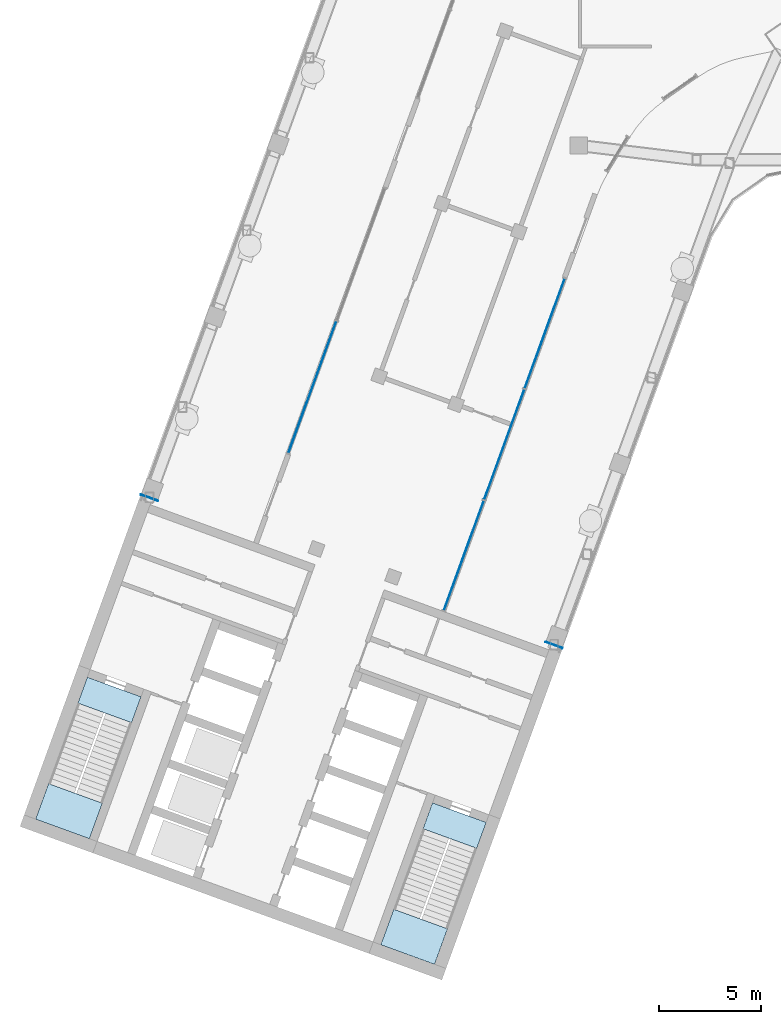
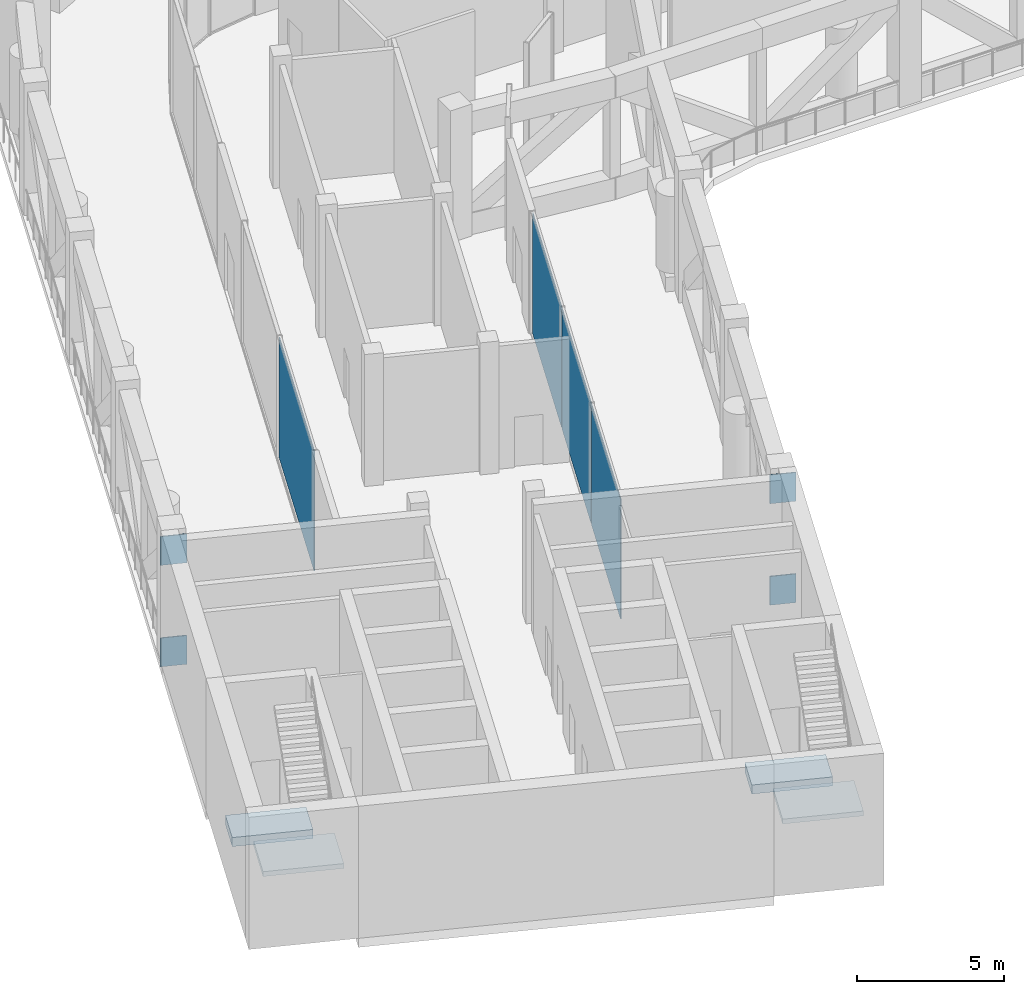
# One storey, part 7 of 19: 8 plates, 4 slabs, 4 elements without a shape of their own.
"""IFC4 building model written with IfcOpenShell, lengths in metres."""

import ifcopenshell
import ifcopenshell.guid

model = None  # the IFC model being written
_history = None  # IfcOwnerHistory: only IFC2X3 demands one
_inside = {}  # id of a spatial element -> (the spatial element, [elements in it])
_under = {}  # id of a project, library or spatial element -> (it, [spatial elements below it])
_declared = {}  # id of a project -> (the project, [libraries it declares])
_typed = {}  # id of a type object -> (the type object, [elements of that type])
_made_of = {}  # id of a material, layer set ... -> (it, [elements and type objects made of it])


def new_model(schema):
    """Start an empty IFC model of exactly this schema.

    Asked for "IFC4X3", IfcOpenShell would pick the latest addendum, in which some entities
    have other attributes; the version numbers below select the first issue.
    IFC2X3 requires an IfcOwnerHistory on every rooted entity: one is made here for all.
    """
    global model, _history
    if schema == "IFC4X3":
        model = ifcopenshell.file(schema_version=(4, 3, 0, 0))
    else:
        model = ifcopenshell.file(schema=schema)
    _inside.clear()
    _under.clear()
    _declared.clear()
    _typed.clear()
    _made_of.clear()
    _history = None
    if model.schema == "IFC2X3":
        org = make("IfcOrganization", Name="unknown")
        user = make(
            "IfcPersonAndOrganization",
            ThePerson=make("IfcPerson", FamilyName="unknown"),
            TheOrganization=org,
        )
        app = make(
            "IfcApplication",
            ApplicationDeveloper=org,
            Version="unknown",
            ApplicationFullName="unknown",
            ApplicationIdentifier="unknown",
        )
        _history = make(
            "IfcOwnerHistory",
            OwningUser=user,
            OwningApplication=app,
            ChangeAction="ADDED",
            CreationDate=0,
        )
    return model


def make(cls, **values):
    """One entity of the class cls with the attributes given. An attribute that is None is left unset."""
    return model.create_entity(
        cls, **{name: value for name, value in values.items() if value is not None}
    )


def rooted(cls, **values):
    """An entity with a GlobalId (a new one), such as an element, a storey or a relation."""
    return make(cls, GlobalId=ifcopenshell.guid.new(), OwnerHistory=_history, **values)


def si_unit(unit_type, name, prefix=None):
    """IfcSIUnit, for example si_unit("LENGTHUNIT", "METRE", prefix="MILLI")."""
    return make("IfcSIUnit", UnitType=unit_type, Prefix=prefix, Name=name)


def assignment(units):
    """IfcUnitAssignment: the units of a project."""
    return None if units is None else make("IfcUnitAssignment", Units=units)


def point(xyz):
    """IfcCartesianPoint."""
    return None if xyz is None else make("IfcCartesianPoint", Coordinates=xyz)


def direction(xyz):
    """IfcDirection."""
    return None if xyz is None else make("IfcDirection", DirectionRatios=xyz)


def frame(location, z_axis=None, x_axis=None):
    """IfcAxis2Placement3D, a coordinate frame: its origin and axes. An axis left out is left unset."""
    return make(
        "IfcAxis2Placement3D",
        Location=point(location),
        Axis=direction(z_axis),
        RefDirection=direction(x_axis),
    )


def frame_2d(location, x_axis=None):
    """IfcAxis2Placement2D, a coordinate frame in the plane: its origin and x axis."""
    return make(
        "IfcAxis2Placement2D", Location=point(location), RefDirection=direction(x_axis)
    )


def origin():
    """The frame at (0, 0, 0) with its axes left unset."""
    return frame((0.0, 0.0, 0.0))


def origin_2d():
    """The frame at (0, 0) in the plane with its x axis left unset."""
    return frame_2d((0.0, 0.0))


def place(relative_to, where):
    """IfcLocalPlacement: puts the frame where relative to a parent placement (None: the world)."""
    return make(
        "IfcLocalPlacement", PlacementRelTo=relative_to, RelativePlacement=where
    )


def context(
    kind, dimensions, precision=None, world=None, true_north=None, identifier=None
):
    """IfcGeometricRepresentationContext, for example the 3D "Model" context."""
    return make(
        "IfcGeometricRepresentationContext",
        ContextIdentifier=identifier,
        ContextType=kind,
        CoordinateSpaceDimension=dimensions,
        Precision=precision,
        WorldCoordinateSystem=world,
        TrueNorth=true_north,
    )


def subcontext(parent, identifier, kind, view, scale=None):
    """IfcGeometricRepresentationSubContext, for example "Body" below "Model"."""
    return make(
        "IfcGeometricRepresentationSubContext",
        ContextIdentifier=identifier,
        ContextType=kind,
        ParentContext=parent,
        TargetScale=scale,
        TargetView=view,
    )


def project(units=None, contexts=None):
    """IfcProject with its units and contexts."""
    return rooted(
        "IfcProject",
        Name="project",
        RepresentationContexts=contexts,
        UnitsInContext=assignment(units),
    )


def spatial(cls, under=None, at=None, **own):
    """A site, building, storey or space (cls), placed at a placement, below another one or the project."""
    s = rooted(cls, ObjectPlacement=at, **own)
    if under is not None:
        _under.setdefault(under.id(), (under, []))[1].append(s)
    return s


def polyline(points):
    """IfcPolyline through the points."""
    return make("IfcPolyline", Points=[point(p) for p in points])


def profile(cls, at=None, kind="AREA", **sizes):
    """A parametric profile (cls). Its sizes go by their IFC names, for example OverallWidth=200.0."""
    return make(cls, ProfileType=kind, Position=at, **sizes)


def rectangle(**sizes):
    """IfcRectangleProfileDef."""
    return profile("IfcRectangleProfileDef", **sizes)


def outline(outer, holes=None, kind="AREA"):
    """IfcArbitraryClosedProfileDef: a profile drawn as a closed curve; with holes, ...WithVoids."""
    if holes is None:
        return make("IfcArbitraryClosedProfileDef", ProfileType=kind, OuterCurve=outer)
    return make(
        "IfcArbitraryProfileDefWithVoids",
        ProfileType=kind,
        OuterCurve=outer,
        InnerCurves=holes,
    )


def extrude(swept, where, along, depth):
    """IfcExtrudedAreaSolid: the profile swept, set in the frame where, extruded along a direction by depth."""
    return make(
        "IfcExtrudedAreaSolid",
        SweptArea=swept,
        Position=where,
        ExtrudedDirection=direction(along),
        Depth=depth,
    )


def shape(context_of_items, identifier, shape_type, items):
    """IfcShapeRepresentation: the items that make up one representation, for example the "Body"."""
    return make(
        "IfcShapeRepresentation",
        ContextOfItems=context_of_items,
        RepresentationIdentifier=identifier,
        RepresentationType=shape_type,
        Items=items,
    )


def material(Name=None, Category=None):
    """IfcMaterial."""
    return make("IfcMaterial", Name=Name, Category=Category)


def layer(
    of_material, thickness, ventilated=None, Name=None, Category=None, Priority=None
):
    """IfcMaterialLayer: one layer of a wall or slab, of a material (None: an air gap)."""
    return make(
        "IfcMaterialLayer",
        Material=of_material,
        LayerThickness=thickness,
        IsVentilated=ventilated,
        Name=Name,
        Category=Category,
        Priority=Priority,
    )


def layer_set(layers, Name=None):
    """IfcMaterialLayerSet."""
    return make("IfcMaterialLayerSet", MaterialLayers=layers, LayerSetName=Name)


def made_of(thing, what):
    """Note that an element or type object is made of a material, layer set ...; save() writes the relation."""
    if what is not None:
        _made_of.setdefault(what.id(), (what, []))[1].append(thing)
    return thing


def type_object(cls, material=None, **own):
    """A type object (cls), such as IfcWallType, which elements share."""
    return made_of(rooted(cls, **own), material)


def element(
    cls,
    number,
    at=None,
    inside=None,
    cuts=None,
    type_object=None,
    material=None,
    context=None,
    identifier="Body",
    shape_type=None,
    held_by="IfcProductDefinitionShape",
    body=None,
    shapes=None,
    **own,
):
    """One element of the class cls, such as IfcWall. Its Tag is "e" and its number.

    at: its placement. inside: the storey or other place that contains it. cuts: it is an
    opening in that element (IfcRelVoidsElement). A single representation is given by context,
    identifier, shape_type and body (its items); several are given by shapes. held_by: the class
    of the entity that holds the representations. save() writes the other relations.
    """
    e = rooted(cls, Tag="e%d" % number, ObjectPlacement=at, **own)
    if body is not None:
        shapes = [shape(context, identifier, shape_type, body)]
    if shapes is not None:
        e.Representation = make(held_by, Representations=shapes)
    if inside is not None:
        _inside.setdefault(inside.id(), (inside, []))[1].append(e)
    if cuts is not None:
        rooted(
            "IfcRelVoidsElement", RelatingBuildingElement=cuts, RelatedOpeningElement=e
        )
    if type_object is not None:
        _typed.setdefault(type_object.id(), (type_object, []))[1].append(e)
    return made_of(e, material)


def aggregate(whole, parts):
    """IfcRelAggregates: a whole, such as a stair, and the parts it consists of."""
    return rooted("IfcRelAggregates", RelatingObject=whole, RelatedObjects=parts)


def save(model, path):
    """Write the relations noted so far, then the file.

    IfcRelAggregates (storeys below a building ...), IfcRelContainedInSpatialStructure (elements
    in a storey), IfcRelDefinesByType, IfcRelAssociatesMaterial and IfcRelDeclares: one each for
    every whole, place, type object, material and project.
    """
    for whole, parts in _under.values():
        aggregate(whole, parts)
    for where, things in _inside.values():
        rooted(
            "IfcRelContainedInSpatialStructure",
            RelatedElements=things,
            RelatingStructure=where,
        )
    for kind, things in _typed.values():
        rooted("IfcRelDefinesByType", RelatedObjects=things, RelatingType=kind)
    for what, things in _made_of.values():
        rooted("IfcRelAssociatesMaterial", RelatedObjects=things, RelatingMaterial=what)
    for by, libraries in _declared.values():
        rooted("IfcRelDeclares", RelatingContext=by, RelatedDefinitions=libraries)
    model.write(path)


model = new_model("IFC4")

# Units and contexts
model_context = context("Model", 3, precision=1e-05, world=origin(), true_north=direction((0.0, 1.0)))
body_context = subcontext(model_context, "Body", "Model", "MODEL_VIEW")
ifc_project = project(units=[si_unit("LENGTHUNIT", "METRE"), si_unit("AREAUNIT", "SQUARE_METRE"), si_unit("VOLUMEUNIT", "CUBIC_METRE"), si_unit("PLANEANGLEUNIT", "RADIAN"), si_unit("MASSUNIT", "GRAM", prefix="KILO")], contexts=[model_context])

# Site, building, storey
site_placement = place(None, origin())
site = spatial("IfcSite", under=ifc_project, at=site_placement, CompositionType="ELEMENT")
building_placement = place(site_placement, origin())
building = spatial("IfcBuilding", under=site, at=building_placement, Name="Skarvind Civic Tower", CompositionType="ELEMENT")
storey_placement = place(building_placement, frame((0.0, 0.0, 129.0)))
storey = spatial("IfcBuildingStorey", under=building, at=storey_placement, Name="L30", CompositionType="ELEMENT", Elevation=129.0)

# Curtain wall, plates
ifc_material_1 = material(Name="Aluminium alloy 6063 and laminated glass", Category="aluminium")
curtain_wall_type = type_object("IfcCurtainWallType", Name="CW3 SEPARATOR INNER GLAZING", PredefinedType="NOTDEFINED", material=ifc_material_1)
curtain_wall_1_placement = place(storey_placement, origin())
curtain_wall_1 = element("IfcCurtainWall", 1, at=curtain_wall_1_placement, inside=storey, type_object=curtain_wall_type, Name="SEPARATOR INNER GLAZING", PredefinedType="NOTDEFINED")
ifc_material_2 = material(Name="Laminated low-iron glass", Category="glass")
ifc_layer_1 = layer(ifc_material_2, 0.031982421875)
ifc_layer_set_1 = layer_set([ifc_layer_1], Name="CW3 GLASS PANEL 32")
plate_type_1 = type_object("IfcPlateType", Name="CW3 GLASS PANEL 32", PredefinedType="CURTAIN_PANEL", material=ifc_layer_set_1)
plate_1_placement = place(storey_placement, frame((44.275390625, 108.93505859375, 0.06005859375), z_axis=(0.0, 0.0, 1.0), x_axis=(-0.342017882714, -0.939693443578, 0.0)))
plate_1 = element("IfcPlate", 2, at=plate_1_placement, type_object=plate_type_1, Name="CW3 panel 1.1", PredefinedType="CURTAIN_PANEL", context=body_context, shape_type="SweptSolid", body=[
    extrude(rectangle(XDim=5.7138671875, YDim=0.031982421875, at=origin_2d()), origin(), (0.0, 0.0, 1.0), 5.0048828125),
])
plate_2_placement = place(storey_placement, frame((42.29541015625, 103.4951171875, 0.06005859375), z_axis=(0.0, 0.0, 1.0), x_axis=(-0.342017882714, -0.939693443578, 0.0)))
plate_2 = element("IfcPlate", 3, at=plate_2_placement, type_object=plate_type_1, Name="CW3 panel 2.1", PredefinedType="CURTAIN_PANEL", context=body_context, shape_type="SweptSolid", body=[
    extrude(rectangle(XDim=5.743896484375, YDim=0.031982421875, at=origin_2d()), origin(), (0.0, 0.0, 1.0), 5.0048828125),
])
plate_3_placement = place(storey_placement, frame((40.3154296875, 98.05517578125, 0.06005859375), z_axis=(0.0, 0.0, 1.0), x_axis=(-0.342017882714, -0.939693443578, 0.0)))
plate_3 = element("IfcPlate", 4, at=plate_3_placement, type_object=plate_type_1, Name="CW3 panel 3.1", PredefinedType="CURTAIN_PANEL", context=body_context, shape_type="SweptSolid", body=[
    extrude(rectangle(XDim=5.7138671875, YDim=0.031982421875, at=origin_2d()), origin(), (0.0, 0.0, 1.0), 5.0048828125),
])
aggregate(curtain_wall_1, [plate_1, plate_2, plate_3])

# Curtain wall, plate
curtain_wall_2_placement = place(storey_placement, origin())
curtain_wall_2 = element("IfcCurtainWall", 5, at=curtain_wall_2_placement, inside=storey, type_object=curtain_wall_type, Name="SEPARATOR INNER GLAZING", PredefinedType="NOTDEFINED")
plate_4_placement = place(storey_placement, frame((32.8896484375, 106.305908203125, 0.06005859375), z_axis=(0.0, 0.0, 1.0), x_axis=(0.342021813854, 0.939692012762, 0.0)))
plate_4 = element("IfcPlate", 6, at=plate_4_placement, type_object=plate_type_1, Name="CW3 panel 1.1", PredefinedType="CURTAIN_PANEL", context=body_context, shape_type="SweptSolid", body=[
    extrude(rectangle(XDim=6.86572265625, YDim=0.031982421875, at=origin_2d()), origin(), (0.0, 0.0, 1.0), 5.0048828125),
])
aggregate(curtain_wall_2, [plate_4])

# Plates
ifc_material_3 = material(Name="Steel SM355", Category="steel")
ifc_layer_2 = layer(ifc_material_3, 0.0400390625)
ifc_layer_set_2 = layer_set([ifc_layer_2], Name="Cast-in plate 40")
plate_type_2 = type_object("IfcPlateType", Name="Cast-in plate 40", PredefinedType="USERDEFINED", material=ifc_layer_set_2)
for number, where, z_axis, x_axis, name in (
    (7, (44.7314453125, 93.66845703125, -0.14990234375), (0.0, 0.0, 1.0), (-0.342020143326, -0.939692620786, 0.0), "Cast-in plate W2N BC 40"),
    (8, (44.7314453125, 93.66845703125, 4.0751953125), (0.0, 0.0, 1.0), (-0.342020143326, -0.939692620786, 0.0), "Cast-in plate W2N TC 40"),
    (9, (24.90380859375, 100.885009765625, -0.14990234375), (0.0, 0.0, 1.0), (-0.342020143326, -0.939692620786, 0.0), "Cast-in plate W2S BC 40"),
    (10, (24.90380859375, 100.885009765625, 4.0751953125), (0.0, 0.0, 1.0), (-0.342020143326, -0.939692620786, 0.0), "Cast-in plate W2S TC 40"),
):
    element("IfcPlate", number, at=place(storey_placement, frame(where, z_axis=z_axis, x_axis=x_axis)), inside=storey, type_object=plate_type_2, Name=name, ObjectType="CAST-IN PLATE", PredefinedType="USERDEFINED", context=body_context, shape_type="SweptSolid", body=[
        extrude(rectangle(XDim=0.0400390625, YDim=0.89990234375, at=origin_2d()), origin(), (0.0, 0.0, 1.0), 1.199951171875),
    ])

# Slabs
ifc_material_4 = material(Name="Concrete C40/50", Category="concrete")
ifc_layer_3 = layer(ifc_material_4, 0.375)
ifc_layer_set_3 = layer_set([ifc_layer_3], Name="Stair floor landing slab 375")
slab_type_1 = type_object("IfcSlabType", Name="Stair floor landing slab 375", PredefinedType="LANDING", material=ifc_layer_set_3)
slab_1_placement = place(storey_placement, frame((0.0, 0.0, -0.375)))
element("IfcSlab", 11, at=slab_1_placement, inside=storey, type_object=slab_type_1, Name="Stair floor landing", PredefinedType="LANDING", context=body_context, shape_type="SweptSolid", body=[
    extrude(outline(polyline([(40.946533203125, 83.70654296875), (38.314208984375, 84.66455078125), (38.7763671875, 85.934326171875), (41.40869140625, 84.976318359375), (40.946533203125, 83.70654296875)])), origin(), (0.0, 0.0, 1.0), 0.375),
])
slab_2_placement = place(storey_placement, frame((0.0, 0.0, -0.375)))
element("IfcSlab", 12, at=slab_2_placement, inside=storey, type_object=slab_type_1, Name="Stair floor landing", PredefinedType="LANDING", context=body_context, shape_type="SweptSolid", body=[
    extrude(outline(polyline([(24.0322265625, 89.863037109375), (21.39990234375, 90.821044921875), (21.862060546875, 92.090576171875), (24.494384765625, 91.132568359375), (24.0322265625, 89.863037109375)])), origin(), (0.0, 0.0, 1.0), 0.375),
])

# Stair, slab
stair_type = type_object("IfcStairType", Name="Exit stair, half-turn, concrete", PredefinedType="HALF_TURN_STAIR", material=ifc_material_4)
stair_1_placement = place(storey_placement, origin())
stair_1 = element("IfcStair", 13, at=stair_1_placement, inside=storey, type_object=stair_type, Name="Exit stair C2S", PredefinedType="HALF_TURN_STAIR")
ifc_layer_4 = layer(ifc_material_4, 0.199951171875)
ifc_layer_set_4 = layer_set([ifc_layer_4], Name="Stair half landing slab")
slab_type_2 = type_object("IfcSlabType", Name="Stair half landing slab", PredefinedType="LANDING", material=ifc_layer_set_4)
slab_3_placement = place(storey_placement, frame((0.0, 0.0, 2.550048828125)))
slab_3 = element("IfcSlab", 14, at=slab_3_placement, type_object=slab_type_2, Name="ST-C2S landing 1", PredefinedType="LANDING", context=body_context, shape_type="SweptSolid", body=[
    extrude(outline(polyline([(36.878173828125, 80.718994140625), (39.510498046875, 79.760986328125), (38.87744140625, 78.021484375), (36.2451171875, 78.9794921875), (36.878173828125, 80.718994140625)])), origin(), (0.0, 0.0, 1.0), 0.199951171875),
])
aggregate(stair_1, [slab_3])

stair_2_placement = place(storey_placement, origin())
stair_2 = element("IfcStair", 15, at=stair_2_placement, inside=storey, type_object=stair_type, Name="Exit stair C2N", PredefinedType="HALF_TURN_STAIR")
slab_4_placement = place(storey_placement, frame((0.0, 0.0, 2.550048828125)))
slab_4 = element("IfcSlab", 16, at=slab_4_placement, type_object=slab_type_2, Name="ST-C2N landing 1", PredefinedType="LANDING", context=body_context, shape_type="SweptSolid", body=[
    extrude(outline(polyline([(19.9638671875, 86.87548828125), (22.595947265625, 85.917236328125), (21.962890625, 84.177734375), (19.33056640625, 85.1357421875), (19.9638671875, 86.87548828125)])), origin(), (0.0, 0.0, 1.0), 0.199951171875),
])
aggregate(stair_2, [slab_4])

save(model, "model.ifc")
